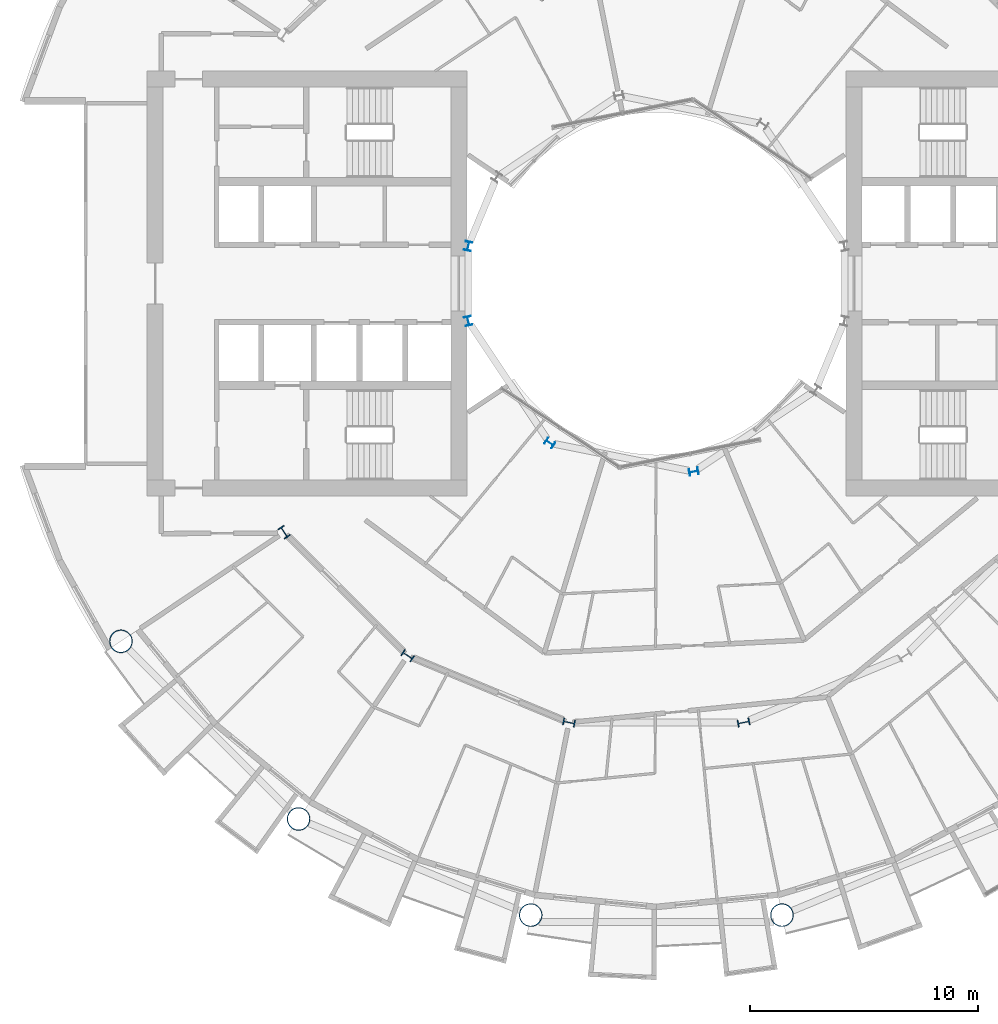
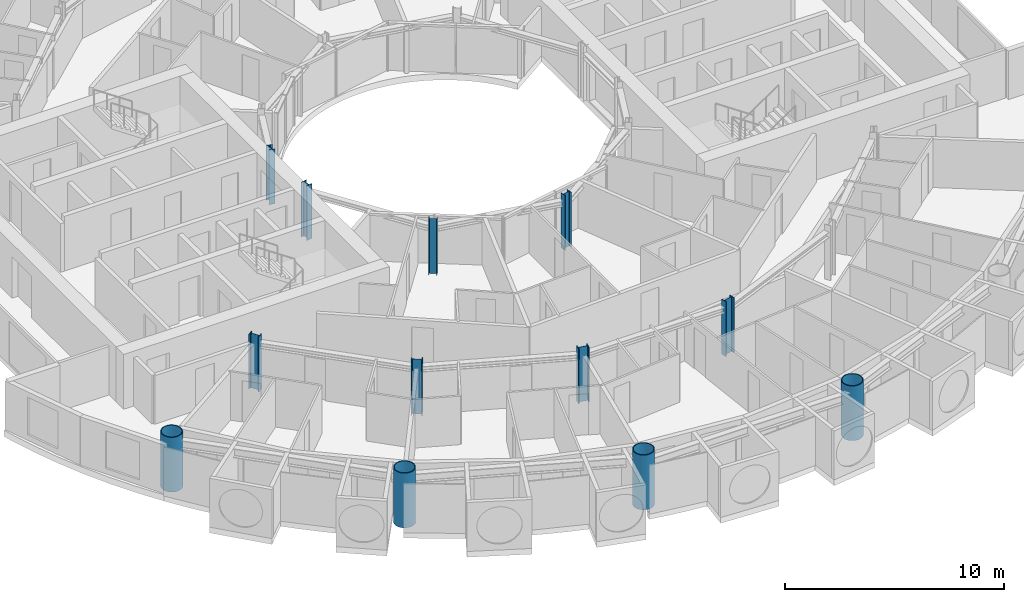
# One storey, part 1 of 26: 12 columns.
"""IFC4 building model written with IfcOpenShell, lengths in metres."""

from ifc_helpers import new_model, si_unit, direction, frame, origin, origin_2d, place, context, subcontext, project, spatial, hollow_circle, i_section, extrude, material, material_profile, profile_set, type_object, element, save


model = new_model("IFC4")

# Units and contexts
model_context = context("Model", 3, precision=1e-05, world=origin(), true_north=direction((0.0, 1.0)))
body_context = subcontext(model_context, "Body", "Model", "MODEL_VIEW")
ifc_project = project(units=[si_unit("LENGTHUNIT", "METRE"), si_unit("AREAUNIT", "SQUARE_METRE"), si_unit("VOLUMEUNIT", "CUBIC_METRE"), si_unit("PLANEANGLEUNIT", "RADIAN"), si_unit("MASSUNIT", "GRAM", prefix="KILO")], contexts=[model_context])

# Site, building, storey
site_placement = place(None, origin())
site = spatial("IfcSite", under=ifc_project, at=site_placement, CompositionType="ELEMENT")
building_placement = place(site_placement, origin())
building = spatial("IfcBuilding", under=site, at=building_placement, Name="Maasbend Ring Residences", CompositionType="ELEMENT")
storey_placement = place(building_placement, frame((0.0, 0.0, 63.60009765625)))
storey = spatial("IfcBuildingStorey", under=building, at=storey_placement, Name="L17", CompositionType="ELEMENT", Elevation=63.60009765625)

# Columns
ifc_material_1 = material(Name="Composite concrete-filled steel tube S460NH / C80/95", Category="concrete")
ifc_material_profile_1 = material_profile(ifc_material_1, hollow_circle(Radius=0.508056640625, WallThickness=0.0400390625, at=origin_2d()), Name="Composite tube column CHS 1016x40")
ifc_profile_set_1 = profile_set([ifc_material_profile_1], Name="Composite concrete-filled steel tube S460NH / C80/95")
column_type_1 = type_object("IfcColumnType", Name="Composite tube column CHS 1016x40", PredefinedType="COLUMN", material=ifc_profile_set_1)
for number, where, z_axis, x_axis, name in (
    (1, (-23.447509765625, -15.6669921875, 0.0), (0.0, 0.0, 1.0), (1.0, 0.0, 0.0), "Outer column R10"),
    (2, (-15.6669921875, -23.447509765625, 0.0), (0.0, 0.0, 1.0), (1.0, 0.0, 0.0), "Outer column R11"),
    (3, (-5.50146484375, -27.658203125, 0.0), (0.0, 0.0, 1.0), (1.0, 0.0, 0.0), "Outer column R12"),
    (4, (5.50146484375, -27.658203125, 0.0), (0.0, 0.0, 1.0), (1.0, 0.0, 0.0), "Outer column R13"),
):
    element("IfcColumn", number, at=place(storey_placement, frame(where, z_axis=z_axis, x_axis=x_axis)), inside=storey, type_object=column_type_1, Name=name, PredefinedType="COLUMN", context=body_context, shape_type="SweptSolid", body=[
        extrude(hollow_circle(Radius=0.508056640625, WallThickness=0.0400390625, at=origin_2d()), origin(), (0.0, 0.0, 1.0), 3.0498046875),
    ])
ifc_material_2 = material(Name="Steel S355J2", Category="steel")
ifc_material_profile_2 = material_profile(ifc_material_2, i_section(OverallWidth=0.300048828125, OverallDepth=0.39990234375, WebThickness=0.013427734375, FlangeThickness=0.02392578125, FilletRadius=0.027099609375, at=origin_2d()), Name="HEB 400")
ifc_profile_set_2 = profile_set([ifc_material_profile_2], Name="Steel S355J2")
column_type_2 = type_object("IfcColumnType", Name="Steel column HEB 400", PredefinedType="COLUMN", material=ifc_profile_set_2)
for number, where, z_axis, x_axis, name in (
    (5, (-8.238525390625, 1.638916015625, 0.0), (0.0, 0.0, 1.0), (-0.980785280403, 0.195090322016, 0.0), "Well ring column R8"),
    (6, (-8.238525390625, -1.638916015625, 0.0), (0.0, 0.0, 1.0), (-0.980785280403, -0.195090322016, 0.0), "Well ring column R9"),
    (7, (-4.666748046875, -6.984375, 0.0), (0.0, 0.0, 1.0), (-0.55557023302, -0.831469612303, 0.0), "Well ring column R11"),
    (8, (1.638916015625, -8.238525390625, 0.0), (0.0, 0.0, 1.0), (0.195090322016, -0.980785280403, 0.0), "Well ring column R13"),
):
    element("IfcColumn", number, at=place(storey_placement, frame(where, z_axis=z_axis, x_axis=x_axis)), inside=storey, type_object=column_type_2, Name=name, PredefinedType="COLUMN", context=body_context, shape_type="SweptSolid", body=[
        extrude(i_section(OverallWidth=0.300048828125, OverallDepth=0.39990234375, WebThickness=0.013427734375, FlangeThickness=0.02392578125, FilletRadius=0.027099609375, at=origin_2d()), origin(), (0.0, 0.0, 1.0), 3.0498046875),
    ])
ifc_material_3 = material(Name="Steel S460M", Category="steel")
ifc_material_profile_3 = material_profile(ifc_material_3, i_section(OverallWidth=0.305908203125, OverallDepth=0.52392578125, WebThickness=0.02099609375, FlangeThickness=0.0400390625, FilletRadius=0.027099609375, at=origin_2d()), Name="HEM 500")
ifc_profile_set_3 = profile_set([ifc_material_profile_3], Name="Steel S460M")
column_type_3 = type_object("IfcColumnType", Name="Steel column HEM 500", PredefinedType="COLUMN", material=ifc_profile_set_3)
for number, where, z_axis, x_axis, name in (
    (9, (-16.296875, -10.88916015625, 0.0), (0.0, 0.0, 1.0), (-0.831469612303, -0.55557023302, 0.0), "Corridor ring column R10"),
    (10, (-10.88916015625, -16.296875, 0.0), (0.0, 0.0, 1.0), (-0.55557023302, -0.831469612303, 0.0), "Corridor ring column R11"),
    (11, (-3.82373046875, -19.223388671875, 0.0), (0.0, 0.0, 1.0), (-0.195090322016, -0.980785280403, 0.0), "Corridor ring column R12"),
    (12, (3.82373046875, -19.223388671875, 0.0), (0.0, 0.0, 1.0), (0.195090322016, -0.980785280403, 0.0), "Corridor ring column R13"),
):
    element("IfcColumn", number, at=place(storey_placement, frame(where, z_axis=z_axis, x_axis=x_axis)), inside=storey, type_object=column_type_3, Name=name, PredefinedType="COLUMN", context=body_context, shape_type="SweptSolid", body=[
        extrude(i_section(OverallWidth=0.305908203125, OverallDepth=0.52392578125, WebThickness=0.02099609375, FlangeThickness=0.0400390625, FilletRadius=0.027099609375, at=origin_2d()), origin(), (0.0, 0.0, 1.0), 3.0498046875),
    ])

save(model, "model.ifc")
